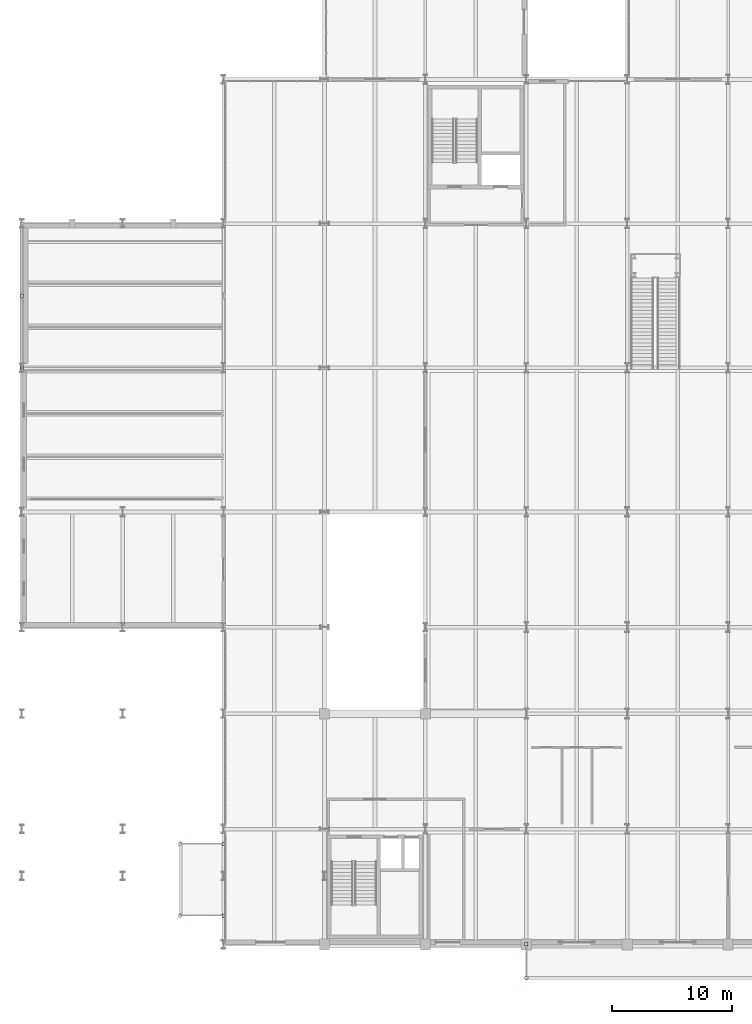
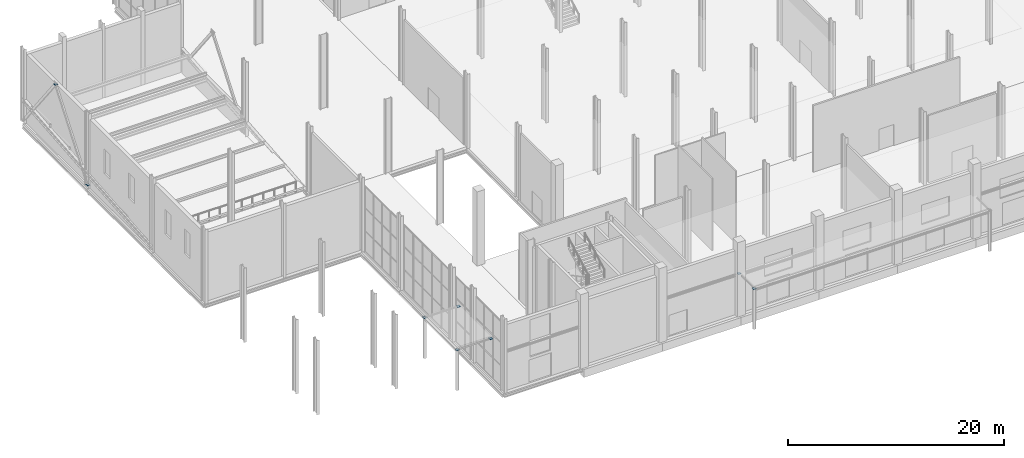
# One storey, part 109 of 131: 8 plates.
"""IFC4 building model written with IfcOpenShell, lengths in metres."""

from ifc_helpers import new_model, si_unit, direction, frame, origin, origin_2d, place, context, subcontext, project, spatial, rectangle, extrude, material, layer, layer_set, type_object, element, save


model = new_model("IFC4")

# Units and contexts
model_context = context("Model", 3, precision=1e-05, world=origin(), true_north=direction((0.0, 1.0)))
body_context = subcontext(model_context, "Body", "Model", "MODEL_VIEW")
ifc_project = project(units=[si_unit("LENGTHUNIT", "METRE"), si_unit("AREAUNIT", "SQUARE_METRE"), si_unit("VOLUMEUNIT", "CUBIC_METRE"), si_unit("PLANEANGLEUNIT", "RADIAN"), si_unit("MASSUNIT", "GRAM", prefix="KILO")], contexts=[model_context])

# Site, building, storey
site_placement = place(None, origin())
site = spatial("IfcSite", under=ifc_project, at=site_placement, CompositionType="ELEMENT")
building_placement = place(site_placement, origin())
building = spatial("IfcBuilding", under=site, at=building_placement, Name="Veltarok Museum of Natural Sciences", CompositionType="ELEMENT")
storey_placement = place(building_placement, origin())
storey = spatial("IfcBuildingStorey", under=building, at=storey_placement, Name="L00", CompositionType="ELEMENT", Elevation=0.0)

# Plates
ifc_material = material(Name="Steel S355J2", Category="steel")
ifc_layer = layer(ifc_material, 0.02001953125)
ifc_layer_set = layer_set([ifc_layer], Name="Steel S355J2")
plate_type = type_object("IfcPlateType", Name="Hollow End Closure Plate D290x20", PredefinedType="USERDEFINED", material=ifc_layer_set)
for number, where, z_axis, x_axis, name in (
    (1, (19.60400390625, 2.39990234375, 4.530029296875), (0.0, 0.0, 1.0), (1.0, 0.0, 0.0), "End Cap Plate CP-273 1"),
    (2, (23.196044921875, 2.39990234375, 4.530029296875), (0.0, 0.0, 1.0), (1.0, 0.0, 0.0), "End Cap Plate CP-273 2"),
    (3, (19.60400390625, 8.39990234375, 4.530029296875), (0.0, 0.0, 1.0), (1.0, 0.0, 0.0), "End Cap Plate CP-273 3"),
    (4, (23.196044921875, 8.39990234375, 4.530029296875), (0.0, 0.0, 1.0), (1.0, 0.0, 0.0), "End Cap Plate CP-273 4"),
    (5, (48.39990234375, -2.7958984375, 4.530029296875), (0.0, 0.0, 1.0), (0.0, 1.0, 0.0), "End Cap Plate CP-273 5"),
    (6, (48.39990234375, -0.00390625, 4.530029296875), (0.0, 0.0, 1.0), (0.0, 1.0, 0.0), "End Cap Plate CP-273 6"),
    (7, (6.39990234375, 48.00244140625, 0.14306640625), (0.0, 0.0, 1.0), (0.0, 1.0, 0.0), "End Cap Plate CP-273 432"),
    (8, (6.39990234375, 53.99755859375, 7.90673828125), (0.0, 0.0, 1.0), (0.0, 1.0, 0.0), "End Cap Plate CP-273 433"),
):
    element("IfcPlate", number, at=place(storey_placement, frame(where, z_axis=z_axis, x_axis=x_axis)), inside=storey, type_object=plate_type, Name=name, ObjectType="END CAP PLATE", PredefinedType="USERDEFINED", context=body_context, shape_type="SweptSolid", body=[
        extrude(rectangle(XDim=0.2900390625, YDim=0.2900390625, at=origin_2d()), origin(), (0.0, 0.0, 1.0), 0.02001953125),
    ])

save(model, "model.ifc")
